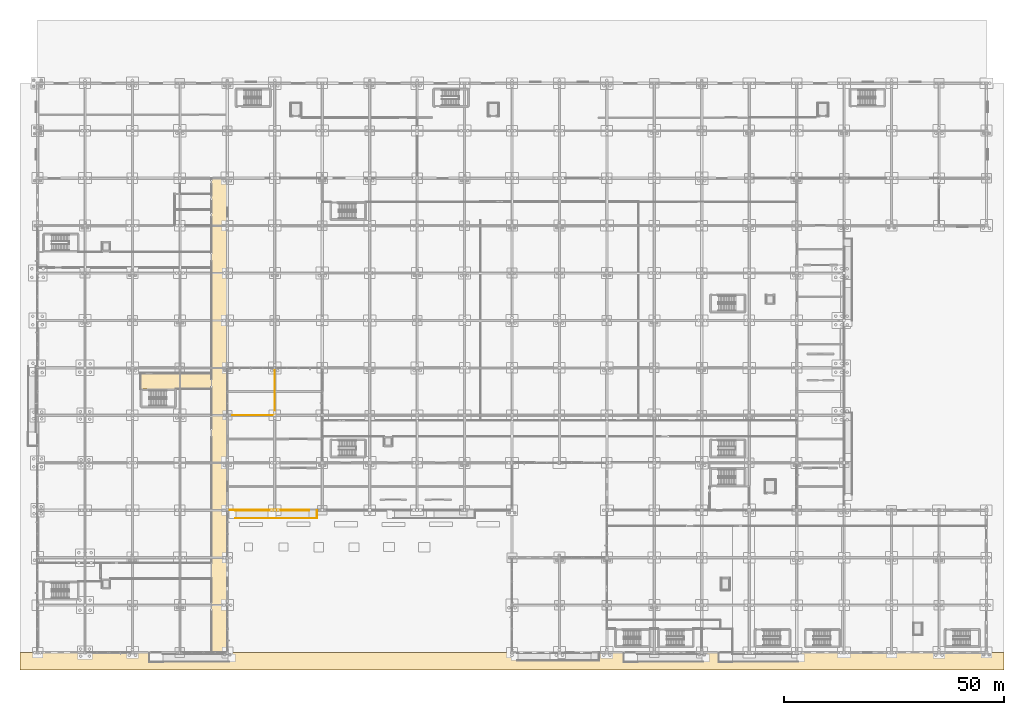
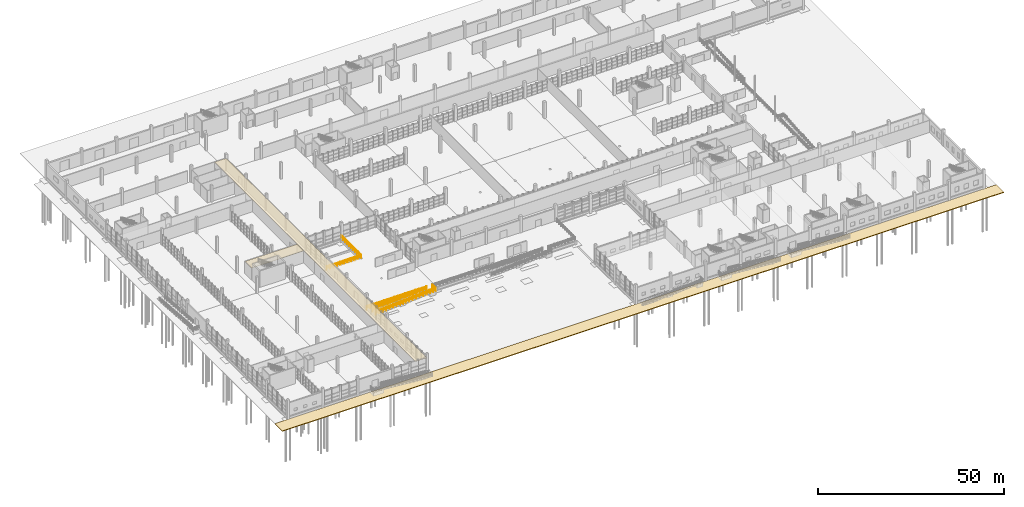
# One storey, part 125 of 138: 5 railings, 3 coverings.
"""IFC4 building model written with IfcOpenShell, lengths in metres."""

from ifc_helpers import new_model, si_unit, direction, frame, origin, origin_2d, place, context, subcontext, project, spatial, polyline, circle, outline, extrude, material, layer, layer_set, type_object, element, save


model = new_model("IFC4")

# Units and contexts
model_context = context("Model", 3, precision=1e-05, world=origin(), true_north=direction((0.0, 1.0)))
body_context = subcontext(model_context, "Body", "Model", "MODEL_VIEW")
ifc_project = project(units=[si_unit("LENGTHUNIT", "METRE"), si_unit("AREAUNIT", "SQUARE_METRE"), si_unit("VOLUMEUNIT", "CUBIC_METRE"), si_unit("PLANEANGLEUNIT", "RADIAN"), si_unit("MASSUNIT", "GRAM", prefix="KILO")], contexts=[model_context])

# Site, building, storey
site_placement = place(None, origin())
site = spatial("IfcSite", under=ifc_project, at=site_placement, CompositionType="ELEMENT")
building_placement = place(site_placement, origin())
building = spatial("IfcBuilding", under=site, at=building_placement, Name="Zwinboog Wholesale Market", CompositionType="ELEMENT")
storey_placement = place(building_placement, origin())
storey = spatial("IfcBuildingStorey", under=building, at=storey_placement, Name="L00", CompositionType="ELEMENT", Elevation=0.0)

# Railings
ifc_material_1 = material(Name="Steel S355", Category="steel")
railing_type_1 = type_object("IfcRailingType", Name="RLT-EXT-GUARD", PredefinedType="BALUSTRADE", material=ifc_material_1)
railing_1_placement = place(storey_placement, frame((43.25, 32.449951171875, 0.0)))
element("IfcRailing", 1, at=railing_1_placement, inside=storey, type_object=railing_type_1, Name="GR-01 (RLG-EXT-01)", PredefinedType="BALUSTRADE", context=body_context, shape_type="SweptSolid", body=[
    extrude(circle(Radius=0.02392578125, at=origin_2d()), frame((0.0, 0.0, 1.09619140625), z_axis=(1.0, 0.0, 0.0), x_axis=(0.0, 1.0, 0.0)), (0.0, 0.0, 1.0), 18.550048828125),
    extrude(circle(Radius=0.02392578125, at=origin_2d()), frame((0.0, 0.0, 0.5361328125), z_axis=(1.0, 0.0, 0.0), x_axis=(0.0, 1.0, 0.0)), (0.0, 0.0, 1.0), 18.550048828125),
    extrude(circle(Radius=0.02099609375, at=origin_2d()), origin(), (0.0, 0.0, 1.0), 1.072021484375),
    extrude(circle(Radius=0.02099609375, at=origin_2d()), frame((1.091064453125, 0.0, 0.0)), (0.0, 0.0, 1.0), 1.072021484375),
    extrude(circle(Radius=0.02099609375, at=origin_2d()), frame((2.182373046875, 0.0, 0.0)), (0.0, 0.0, 1.0), 1.072021484375),
    extrude(circle(Radius=0.02099609375, at=origin_2d()), frame((3.2734375, 0.0, 0.0)), (0.0, 0.0, 1.0), 1.072021484375),
    extrude(circle(Radius=0.02099609375, at=origin_2d()), frame((4.36474609375, 0.0, 0.0)), (0.0, 0.0, 1.0), 1.072021484375),
    extrude(circle(Radius=0.02099609375, at=origin_2d()), frame((5.455810546875, 0.0, 0.0)), (0.0, 0.0, 1.0), 1.072021484375),
    extrude(circle(Radius=0.02099609375, at=origin_2d()), frame((6.547119140625, 0.0, 0.0)), (0.0, 0.0, 1.0), 1.072021484375),
    extrude(circle(Radius=0.02099609375, at=origin_2d()), frame((7.63818359375, 0.0, 0.0)), (0.0, 0.0, 1.0), 1.072021484375),
    extrude(circle(Radius=0.02099609375, at=origin_2d()), frame((8.7294921875, 0.0, 0.0)), (0.0, 0.0, 1.0), 1.072021484375),
    extrude(circle(Radius=0.02099609375, at=origin_2d()), frame((9.820556640625, 0.0, 0.0)), (0.0, 0.0, 1.0), 1.072021484375),
    extrude(circle(Radius=0.02099609375, at=origin_2d()), frame((10.911865234375, 0.0, 0.0)), (0.0, 0.0, 1.0), 1.072021484375),
    extrude(circle(Radius=0.02099609375, at=origin_2d()), frame((12.0029296875, 0.0, 0.0)), (0.0, 0.0, 1.0), 1.072021484375),
    extrude(circle(Radius=0.02099609375, at=origin_2d()), frame((13.09423828125, 0.0, 0.0)), (0.0, 0.0, 1.0), 1.072021484375),
    extrude(circle(Radius=0.02099609375, at=origin_2d()), frame((14.185302734375, 0.0, 0.0)), (0.0, 0.0, 1.0), 1.072021484375),
    extrude(circle(Radius=0.02099609375, at=origin_2d()), frame((15.276611328125, 0.0, 0.0)), (0.0, 0.0, 1.0), 1.072021484375),
    extrude(circle(Radius=0.02099609375, at=origin_2d()), frame((16.36767578125, 0.0, 0.0)), (0.0, 0.0, 1.0), 1.072021484375),
    extrude(circle(Radius=0.02099609375, at=origin_2d()), frame((17.458984375, 0.0, 0.0)), (0.0, 0.0, 1.0), 1.072021484375),
    extrude(circle(Radius=0.02099609375, at=origin_2d()), frame((18.550048828125, 0.0, 0.0)), (0.0, 0.0, 1.0), 1.072021484375),
])
railing_2_placement = place(storey_placement, frame((43.25, 54.0, 0.0)))
element("IfcRailing", 2, at=railing_2_placement, inside=storey, type_object=railing_type_1, Name="GR-01 (RLG-EXT-02)", PredefinedType="BALUSTRADE", context=body_context, shape_type="SweptSolid", body=[
    extrude(circle(Radius=0.02392578125, at=origin_2d()), frame((0.0, 0.0, 1.09619140625), z_axis=(1.0, 0.0, 0.0), x_axis=(0.0, 1.0, 0.0)), (0.0, 0.0, 1.0), 10.75),
    extrude(circle(Radius=0.02392578125, at=origin_2d()), frame((0.0, 0.0, 0.5361328125), z_axis=(1.0, 0.0, 0.0), x_axis=(0.0, 1.0, 0.0)), (0.0, 0.0, 1.0), 10.75),
    extrude(circle(Radius=0.02392578125, at=origin_2d()), frame((10.75, 0.0, 1.09619140625), z_axis=(0.0, 1.0, 0.0), x_axis=(-1.0, 0.0, 0.0)), (0.0, 0.0, 1.0), 10.75),
    extrude(circle(Radius=0.02392578125, at=origin_2d()), frame((10.75, 0.0, 0.5361328125), z_axis=(0.0, 1.0, 0.0), x_axis=(-1.0, 0.0, 0.0)), (0.0, 0.0, 1.0), 10.75),
    extrude(circle(Radius=0.02099609375, at=origin_2d()), origin(), (0.0, 0.0, 1.0), 1.072021484375),
    extrude(circle(Radius=0.02099609375, at=origin_2d()), frame((1.074951171875, 0.0, 0.0)), (0.0, 0.0, 1.0), 1.072021484375),
    extrude(circle(Radius=0.02099609375, at=origin_2d()), frame((2.14990234375, 0.0, 0.0)), (0.0, 0.0, 1.0), 1.072021484375),
    extrude(circle(Radius=0.02099609375, at=origin_2d()), frame((3.22509765625, 0.0, 0.0)), (0.0, 0.0, 1.0), 1.072021484375),
    extrude(circle(Radius=0.02099609375, at=origin_2d()), frame((4.300048828125, 0.0, 0.0)), (0.0, 0.0, 1.0), 1.072021484375),
    extrude(circle(Radius=0.02099609375, at=origin_2d()), frame((5.375, 0.0, 0.0)), (0.0, 0.0, 1.0), 1.072021484375),
    extrude(circle(Radius=0.02099609375, at=origin_2d()), frame((6.449951171875, 0.0, 0.0)), (0.0, 0.0, 1.0), 1.072021484375),
    extrude(circle(Radius=0.02099609375, at=origin_2d()), frame((7.52490234375, 0.0, 0.0)), (0.0, 0.0, 1.0), 1.072021484375),
    extrude(circle(Radius=0.02099609375, at=origin_2d()), frame((8.60009765625, 0.0, 0.0)), (0.0, 0.0, 1.0), 1.072021484375),
    extrude(circle(Radius=0.02099609375, at=origin_2d()), frame((9.675048828125, 0.0, 0.0)), (0.0, 0.0, 1.0), 1.072021484375),
    extrude(circle(Radius=0.02099609375, at=origin_2d()), frame((10.75, 0.0, 0.0)), (0.0, 0.0, 1.0), 1.072021484375),
    extrude(circle(Radius=0.02099609375, at=origin_2d()), frame((10.75, 1.074951171875, 0.0)), (0.0, 0.0, 1.0), 1.072021484375),
    extrude(circle(Radius=0.02099609375, at=origin_2d()), frame((10.75, 2.14990234375, 0.0)), (0.0, 0.0, 1.0), 1.072021484375),
    extrude(circle(Radius=0.02099609375, at=origin_2d()), frame((10.75, 3.22509765625, 0.0)), (0.0, 0.0, 1.0), 1.072021484375),
    extrude(circle(Radius=0.02099609375, at=origin_2d()), frame((10.75, 4.300048828125, 0.0)), (0.0, 0.0, 1.0), 1.072021484375),
    extrude(circle(Radius=0.02099609375, at=origin_2d()), frame((10.75, 5.375, 0.0)), (0.0, 0.0, 1.0), 1.072021484375),
    extrude(circle(Radius=0.02099609375, at=origin_2d()), frame((10.75, 6.449951171875, 0.0)), (0.0, 0.0, 1.0), 1.072021484375),
    extrude(circle(Radius=0.02099609375, at=origin_2d()), frame((10.75, 7.52490234375, 0.0)), (0.0, 0.0, 1.0), 1.072021484375),
    extrude(circle(Radius=0.02099609375, at=origin_2d()), frame((10.75, 8.60009765625, 0.0)), (0.0, 0.0, 1.0), 1.072021484375),
    extrude(circle(Radius=0.02099609375, at=origin_2d()), frame((10.75, 9.675048828125, 0.0)), (0.0, 0.0, 1.0), 1.072021484375),
    extrude(circle(Radius=0.02099609375, at=origin_2d()), frame((10.75, 10.75, 0.0)), (0.0, 0.0, 1.0), 1.072021484375),
])
railing_3_placement = place(storey_placement, frame((45.0, 30.590087890625, -1.199951171875)))
element("IfcRailing", 3, at=railing_3_placement, inside=storey, type_object=railing_type_1, Name="GR-01 (RLG-RMP-01-GO)", PredefinedType="BALUSTRADE", context=body_context, shape_type="SweptSolid", body=[
    extrude(circle(Radius=0.02392578125, at=origin_2d()), frame((0.0, 0.0, 1.09619140625), z_axis=(0.99681682597, 0.0, 0.079725876999), x_axis=(0.0, 1.0, 0.0)), (0.0, 0.0, 1.0), 7.52392578125),
    extrude(circle(Radius=0.02392578125, at=origin_2d()), frame((0.0, 0.0, 0.5361328125), z_axis=(0.99681682597, 0.0, 0.079725876999), x_axis=(0.0, 1.0, 0.0)), (0.0, 0.0, 1.0), 7.52392578125),
    extrude(circle(Radius=0.02392578125, at=origin_2d()), frame((7.5, 0.0, 1.69580078125), z_axis=(1.0, 0.0, 0.0), x_axis=(0.0, 1.0, 0.0)), (0.0, 0.0, 1.0), 1.800048828125),
    extrude(circle(Radius=0.02392578125, at=origin_2d()), frame((7.5, 0.0, 1.1357421875), z_axis=(1.0, 0.0, 0.0), x_axis=(0.0, 1.0, 0.0)), (0.0, 0.0, 1.0), 1.800048828125),
    extrude(circle(Radius=0.02392578125, at=origin_2d()), frame((9.300048828125, 0.0, 1.69580078125), z_axis=(0.996814246708, 0.0, 0.079758119089), x_axis=(0.0, 1.0, 0.0)), (0.0, 0.0, 1.0), 7.52392578125),
    extrude(circle(Radius=0.02392578125, at=origin_2d()), frame((9.300048828125, 0.0, 1.1357421875), z_axis=(0.996814246708, 0.0, 0.079758119089), x_axis=(0.0, 1.0, 0.0)), (0.0, 0.0, 1.0), 7.52392578125),
    extrude(circle(Radius=0.02392578125, at=origin_2d()), frame((16.800048828125, 0.0, 2.2958984375), z_axis=(1.0, 0.0, 0.0), x_axis=(0.0, 1.0, 0.0)), (0.0, 0.0, 1.0), 1.800048828125),
    extrude(circle(Radius=0.02392578125, at=origin_2d()), frame((16.800048828125, 0.0, 1.73583984375), z_axis=(1.0, 0.0, 0.0), x_axis=(0.0, 1.0, 0.0)), (0.0, 0.0, 1.0), 1.800048828125),
    extrude(circle(Radius=0.02392578125, at=origin_2d()), frame((18.60009765625, 0.0, 2.2958984375), z_axis=(0.0, 1.0, 0.0), x_axis=(-1.0, 0.0, 0.0)), (0.0, 0.0, 1.0), 1.809814453125),
    extrude(circle(Radius=0.02392578125, at=origin_2d()), frame((18.60009765625, 0.0, 1.73583984375), z_axis=(0.0, 1.0, 0.0), x_axis=(-1.0, 0.0, 0.0)), (0.0, 0.0, 1.0), 1.809814453125),
    extrude(circle(Radius=0.02099609375, at=origin_2d()), origin(), (0.0, 0.0, 1.0), 1.072021484375),
    extrude(circle(Radius=0.02099609375, at=origin_2d()), frame((1.071533203125, 0.0, 0.085693359375)), (0.0, 0.0, 1.0), 1.072021484375),
    extrude(circle(Radius=0.02099609375, at=origin_2d()), frame((2.142822265625, 0.0, 0.17138671875)), (0.0, 0.0, 1.0), 1.072021484375),
    extrude(circle(Radius=0.02099609375, at=origin_2d()), frame((3.21435546875, 0.0, 0.257080078125)), (0.0, 0.0, 1.0), 1.072021484375),
    extrude(circle(Radius=0.02099609375, at=origin_2d()), frame((4.28564453125, 0.0, 0.3427734375)), (0.0, 0.0, 1.0), 1.072021484375),
    extrude(circle(Radius=0.02099609375, at=origin_2d()), frame((5.357177734375, 0.0, 0.428466796875)), (0.0, 0.0, 1.0), 1.072021484375),
    extrude(circle(Radius=0.02099609375, at=origin_2d()), frame((6.428466796875, 0.0, 0.51416015625)), (0.0, 0.0, 1.0), 1.072021484375),
    extrude(circle(Radius=0.02099609375, at=origin_2d()), frame((7.5, 0.0, 0.599853515625)), (0.0, 0.0, 1.0), 1.072021484375),
    extrude(circle(Radius=0.02099609375, at=origin_2d()), frame((8.39990234375, 0.0, 0.599853515625)), (0.0, 0.0, 1.0), 1.072021484375),
    extrude(circle(Radius=0.02099609375, at=origin_2d()), frame((9.300048828125, 0.0, 0.599853515625)), (0.0, 0.0, 1.0), 1.072021484375),
    extrude(circle(Radius=0.02099609375, at=origin_2d()), frame((10.37158203125, 0.0, 0.685546875)), (0.0, 0.0, 1.0), 1.072021484375),
    extrude(circle(Radius=0.02099609375, at=origin_2d()), frame((11.44287109375, 0.0, 0.771240234375)), (0.0, 0.0, 1.0), 1.072021484375),
    extrude(circle(Radius=0.02099609375, at=origin_2d()), frame((12.514404296875, 0.0, 0.85693359375)), (0.0, 0.0, 1.0), 1.072021484375),
    extrude(circle(Radius=0.02099609375, at=origin_2d()), frame((13.585693359375, 0.0, 0.94287109375)), (0.0, 0.0, 1.0), 1.072021484375),
    extrude(circle(Radius=0.02099609375, at=origin_2d()), frame((14.6572265625, 0.0, 1.028564453125)), (0.0, 0.0, 1.0), 1.072021484375),
    extrude(circle(Radius=0.02099609375, at=origin_2d()), frame((15.728515625, 0.0, 1.1142578125)), (0.0, 0.0, 1.0), 1.072021484375),
    extrude(circle(Radius=0.02099609375, at=origin_2d()), frame((16.800048828125, 0.0, 1.199951171875)), (0.0, 0.0, 1.0), 1.072021484375),
    extrude(circle(Radius=0.02099609375, at=origin_2d()), frame((17.7001953125, 0.0, 1.199951171875)), (0.0, 0.0, 1.0), 1.072021484375),
    extrude(circle(Radius=0.02099609375, at=origin_2d()), frame((18.60009765625, 0.0, 1.199951171875)), (0.0, 0.0, 1.0), 1.072021484375),
    extrude(circle(Radius=0.02099609375, at=origin_2d()), frame((18.60009765625, 0.90478515625, 1.199951171875)), (0.0, 0.0, 1.0), 1.072021484375),
    extrude(circle(Radius=0.02099609375, at=origin_2d()), frame((18.60009765625, 1.809814453125, 1.199951171875)), (0.0, 0.0, 1.0), 1.072021484375),
])
railing_4_placement = place(storey_placement, frame((45.0, 32.320068359375, -1.199951171875)))
element("IfcRailing", 4, at=railing_4_placement, inside=storey, type_object=railing_type_1, Name="GR-01 (RLG-RMP-01-GI)", PredefinedType="BALUSTRADE", context=body_context, shape_type="SweptSolid", body=[
    extrude(circle(Radius=0.02392578125, at=origin_2d()), frame((0.0, 0.0, 1.09619140625), z_axis=(0.99681682597, 0.0, 0.079725876999), x_axis=(0.0, 1.0, 0.0)), (0.0, 0.0, 1.0), 7.52392578125),
    extrude(circle(Radius=0.02392578125, at=origin_2d()), frame((0.0, 0.0, 0.5361328125), z_axis=(0.99681682597, 0.0, 0.079725876999), x_axis=(0.0, 1.0, 0.0)), (0.0, 0.0, 1.0), 7.52392578125),
    extrude(circle(Radius=0.02392578125, at=origin_2d()), frame((7.5, 0.0, 1.69580078125), z_axis=(1.0, 0.0, 0.0), x_axis=(0.0, 1.0, 0.0)), (0.0, 0.0, 1.0), 1.800048828125),
    extrude(circle(Radius=0.02392578125, at=origin_2d()), frame((7.5, 0.0, 1.1357421875), z_axis=(1.0, 0.0, 0.0), x_axis=(0.0, 1.0, 0.0)), (0.0, 0.0, 1.0), 1.800048828125),
    extrude(circle(Radius=0.02392578125, at=origin_2d()), frame((9.300048828125, 0.0, 1.69580078125), z_axis=(0.996814246708, 0.0, 0.079758119089), x_axis=(0.0, 1.0, 0.0)), (0.0, 0.0, 1.0), 7.52392578125),
    extrude(circle(Radius=0.02392578125, at=origin_2d()), frame((9.300048828125, 0.0, 1.1357421875), z_axis=(0.996814246708, 0.0, 0.079758119089), x_axis=(0.0, 1.0, 0.0)), (0.0, 0.0, 1.0), 7.52392578125),
    extrude(circle(Radius=0.02099609375, at=origin_2d()), origin(), (0.0, 0.0, 1.0), 1.072021484375),
    extrude(circle(Radius=0.02099609375, at=origin_2d()), frame((1.071533203125, 0.0, 0.085693359375)), (0.0, 0.0, 1.0), 1.072021484375),
    extrude(circle(Radius=0.02099609375, at=origin_2d()), frame((2.142822265625, 0.0, 0.17138671875)), (0.0, 0.0, 1.0), 1.072021484375),
    extrude(circle(Radius=0.02099609375, at=origin_2d()), frame((3.21435546875, 0.0, 0.257080078125)), (0.0, 0.0, 1.0), 1.072021484375),
    extrude(circle(Radius=0.02099609375, at=origin_2d()), frame((4.28564453125, 0.0, 0.3427734375)), (0.0, 0.0, 1.0), 1.072021484375),
    extrude(circle(Radius=0.02099609375, at=origin_2d()), frame((5.357177734375, 0.0, 0.428466796875)), (0.0, 0.0, 1.0), 1.072021484375),
    extrude(circle(Radius=0.02099609375, at=origin_2d()), frame((6.428466796875, 0.0, 0.51416015625)), (0.0, 0.0, 1.0), 1.072021484375),
    extrude(circle(Radius=0.02099609375, at=origin_2d()), frame((7.5, 0.0, 0.599853515625)), (0.0, 0.0, 1.0), 1.072021484375),
    extrude(circle(Radius=0.02099609375, at=origin_2d()), frame((8.39990234375, 0.0, 0.599853515625)), (0.0, 0.0, 1.0), 1.072021484375),
    extrude(circle(Radius=0.02099609375, at=origin_2d()), frame((9.300048828125, 0.0, 0.599853515625)), (0.0, 0.0, 1.0), 1.072021484375),
    extrude(circle(Radius=0.02099609375, at=origin_2d()), frame((10.37158203125, 0.0, 0.685546875)), (0.0, 0.0, 1.0), 1.072021484375),
    extrude(circle(Radius=0.02099609375, at=origin_2d()), frame((11.44287109375, 0.0, 0.771240234375)), (0.0, 0.0, 1.0), 1.072021484375),
    extrude(circle(Radius=0.02099609375, at=origin_2d()), frame((12.514404296875, 0.0, 0.85693359375)), (0.0, 0.0, 1.0), 1.072021484375),
    extrude(circle(Radius=0.02099609375, at=origin_2d()), frame((13.585693359375, 0.0, 0.94287109375)), (0.0, 0.0, 1.0), 1.072021484375),
    extrude(circle(Radius=0.02099609375, at=origin_2d()), frame((14.6572265625, 0.0, 1.028564453125)), (0.0, 0.0, 1.0), 1.072021484375),
    extrude(circle(Radius=0.02099609375, at=origin_2d()), frame((15.728515625, 0.0, 1.1142578125)), (0.0, 0.0, 1.0), 1.072021484375),
    extrude(circle(Radius=0.02099609375, at=origin_2d()), frame((16.800048828125, 0.0, 1.199951171875)), (0.0, 0.0, 1.0), 1.072021484375),
])

# Covering
ifc_material_2 = material(Name="Concrete C35/45", Category="concrete")
ifc_layer_1 = layer(ifc_material_2, 0.219970703125)
ifc_layer_set_1 = layer_set([ifc_layer_1], Name="Concrete C35/45")
covering_type_1 = type_object("IfcCoveringType", Name="COV-YARD-PAVE", PredefinedType="FLOORING", material=ifc_layer_set_1)
covering_1_placement = place(storey_placement, frame((0.0, 0.0, -1.419921875)))
element("IfcCovering", 5, at=covering_1_placement, inside=storey, type_object=covering_type_1, Name="South Boulevard and Park Arrival Footway", PredefinedType="FLOORING", context=body_context, shape_type="SweptSolid", body=[
    extrude(outline(polyline([(-4.0, -4.0), (220.0, -4.0), (220.0, 0.0), (-4.0, 0.0), (-4.0, -4.0)])), origin(), (0.0, 0.0, 1.0), 0.219970703125),
])

# Railing
railing_type_2 = type_object("IfcRailingType", Name="RLT-HANDRAIL", PredefinedType="HANDRAIL", material=ifc_material_1)
railing_5_placement = place(storey_placement, frame((45.0, 32.320068359375, -1.199951171875)))
element("IfcRailing", 6, at=railing_5_placement, inside=storey, type_object=railing_type_2, Name="HR-01 (RLG-RMP-01-HR)", PredefinedType="HANDRAIL", context=body_context, shape_type="SweptSolid", body=[
    extrude(circle(Radius=0.02392578125, at=origin_2d()), frame((0.0, 0.0, 0.8759765625), z_axis=(0.99681682597, 0.0, 0.079725876999), x_axis=(0.0, 1.0, 0.0)), (0.0, 0.0, 1.0), 7.52392578125),
    extrude(circle(Radius=0.02392578125, at=origin_2d()), frame((7.5, 0.0, 1.4755859375), z_axis=(1.0, 0.0, 0.0), x_axis=(0.0, 1.0, 0.0)), (0.0, 0.0, 1.0), 1.800048828125),
    extrude(circle(Radius=0.02392578125, at=origin_2d()), frame((9.300048828125, 0.0, 1.4755859375), z_axis=(0.996814246708, 0.0, 0.079758119089), x_axis=(0.0, 1.0, 0.0)), (0.0, 0.0, 1.0), 7.52392578125),
    extrude(circle(Radius=0.02099609375, at=origin_2d()), origin(), (0.0, 0.0, 1.0), 0.851806640625),
    extrude(circle(Radius=0.02099609375, at=origin_2d()), frame((1.071533203125, 0.0, 0.085693359375)), (0.0, 0.0, 1.0), 0.851806640625),
    extrude(circle(Radius=0.02099609375, at=origin_2d()), frame((2.142822265625, 0.0, 0.17138671875)), (0.0, 0.0, 1.0), 0.851806640625),
    extrude(circle(Radius=0.02099609375, at=origin_2d()), frame((3.21435546875, 0.0, 0.257080078125)), (0.0, 0.0, 1.0), 0.851806640625),
    extrude(circle(Radius=0.02099609375, at=origin_2d()), frame((4.28564453125, 0.0, 0.3427734375)), (0.0, 0.0, 1.0), 0.851806640625),
    extrude(circle(Radius=0.02099609375, at=origin_2d()), frame((5.357177734375, 0.0, 0.428466796875)), (0.0, 0.0, 1.0), 0.851806640625),
    extrude(circle(Radius=0.02099609375, at=origin_2d()), frame((6.428466796875, 0.0, 0.51416015625)), (0.0, 0.0, 1.0), 0.851806640625),
    extrude(circle(Radius=0.02099609375, at=origin_2d()), frame((7.5, 0.0, 0.599853515625)), (0.0, 0.0, 1.0), 0.851806640625),
    extrude(circle(Radius=0.02099609375, at=origin_2d()), frame((8.39990234375, 0.0, 0.599853515625)), (0.0, 0.0, 1.0), 0.851806640625),
    extrude(circle(Radius=0.02099609375, at=origin_2d()), frame((9.300048828125, 0.0, 0.599853515625)), (0.0, 0.0, 1.0), 0.851806640625),
    extrude(circle(Radius=0.02099609375, at=origin_2d()), frame((10.37158203125, 0.0, 0.685546875)), (0.0, 0.0, 1.0), 0.851806640625),
    extrude(circle(Radius=0.02099609375, at=origin_2d()), frame((11.44287109375, 0.0, 0.771240234375)), (0.0, 0.0, 1.0), 0.851806640625),
    extrude(circle(Radius=0.02099609375, at=origin_2d()), frame((12.514404296875, 0.0, 0.85693359375)), (0.0, 0.0, 1.0), 0.851806640625),
    extrude(circle(Radius=0.02099609375, at=origin_2d()), frame((13.585693359375, 0.0, 0.94287109375)), (0.0, 0.0, 1.0), 0.851806640625),
    extrude(circle(Radius=0.02099609375, at=origin_2d()), frame((14.6572265625, 0.0, 1.028564453125)), (0.0, 0.0, 1.0), 0.851806640625),
    extrude(circle(Radius=0.02099609375, at=origin_2d()), frame((15.728515625, 0.0, 1.1142578125)), (0.0, 0.0, 1.0), 0.851806640625),
    extrude(circle(Radius=0.02099609375, at=origin_2d()), frame((16.800048828125, 0.0, 1.199951171875)), (0.0, 0.0, 1.0), 0.851806640625),
])

# Coverings
ifc_material_3 = material(Name="Hygienic washable acoustic gypsum ceiling")
ifc_layer_2 = layer(ifc_material_3, 0.050048828125)
ifc_layer_set_2 = layer_set([ifc_layer_2], Name="Hygienic washable acoustic gypsum ceiling")
covering_type_2 = type_object("IfcCoveringType", Name="COV-CEIL-HYG", PredefinedType="CEILING", material=ifc_layer_set_2)
covering_2_placement = place(storey_placement, frame((0.0, 0.0, 3.800048828125)))
element("IfcCovering", 7, at=covering_2_placement, inside=storey, type_object=covering_type_2, Name="CL-02 (COV-CL-L00-001)", PredefinedType="CEILING", context=body_context, shape_type="SweptSolid", body=[
    extrude(outline(polyline([(39.60009765625, 0.0), (43.199951171875, 0.0), (43.199951171875, 108.0), (39.60009765625, 108.0), (39.60009765625, 0.0)])), origin(), (0.0, 0.0, 1.0), 0.050048828125),
])
covering_3_placement = place(storey_placement, frame((0.0, 0.0, 3.800048828125)))
element("IfcCovering", 8, at=covering_3_placement, inside=storey, type_object=covering_type_2, Name="CL-02 (COV-CL-L00-004)", PredefinedType="CEILING", context=body_context, shape_type="SweptSolid", body=[
    extrude(outline(polyline([(23.39990234375, 60.0), (39.60009765625, 60.0), (39.60009765625, 63.60009765625), (23.39990234375, 63.60009765625), (23.39990234375, 60.0)])), origin(), (0.0, 0.0, 1.0), 0.050048828125),
])

save(model, "model.ifc")
